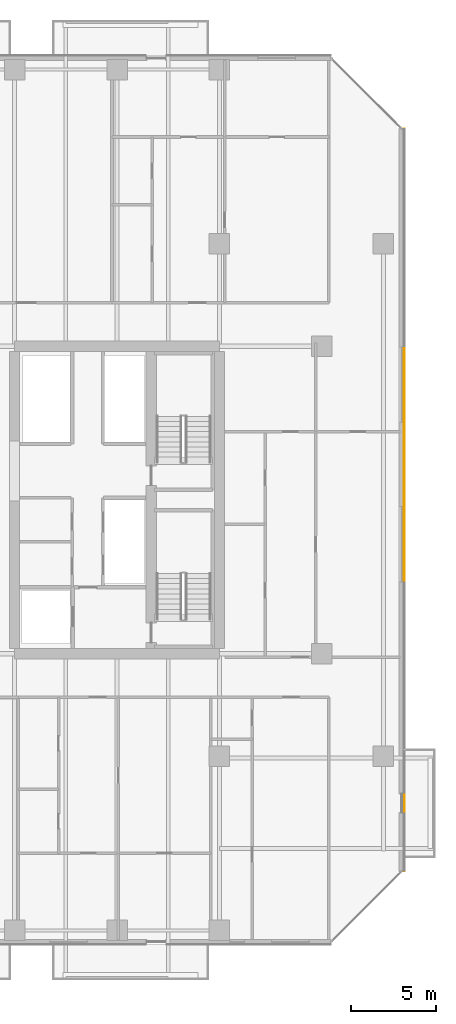
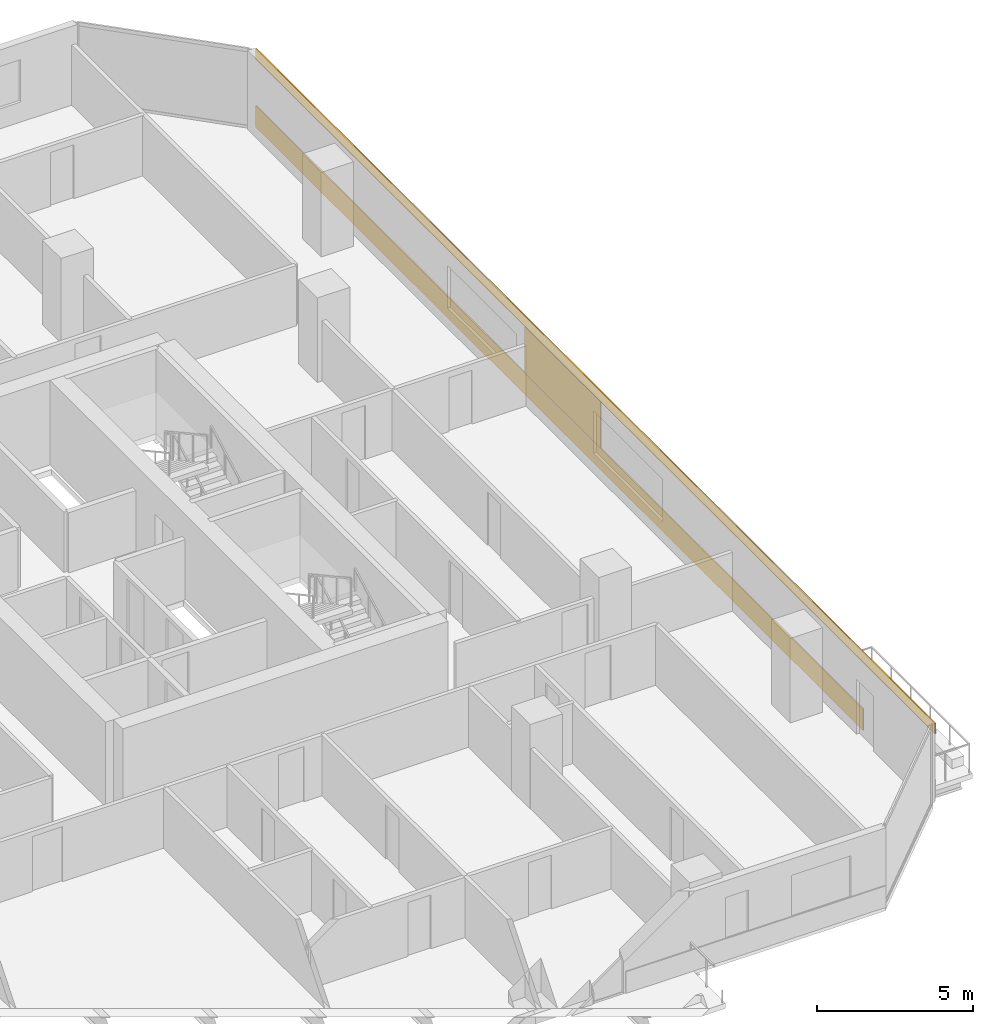
# One storey, part 32 of 33: 3 coverings.
"""IFC4 building model written with IfcOpenShell, lengths in metres."""

from ifc_helpers import new_model, si_unit, direction, frame, origin, origin_2d, place, context, subcontext, project, spatial, rectangle, extrude, material, layer, layer_set, type_object, element, save


model = new_model("IFC4")

# Units and contexts
model_context = context("Model", 3, precision=1e-05, world=origin(), true_north=direction((0.0, 1.0)))
body_context = subcontext(model_context, "Body", "Model", "MODEL_VIEW")
ifc_project = project(units=[si_unit("LENGTHUNIT", "METRE"), si_unit("AREAUNIT", "SQUARE_METRE"), si_unit("VOLUMEUNIT", "CUBIC_METRE"), si_unit("PLANEANGLEUNIT", "RADIAN"), si_unit("MASSUNIT", "GRAM", prefix="KILO")], contexts=[model_context])

# Site, building, storey
site_placement = place(None, origin())
site = spatial("IfcSite", under=ifc_project, at=site_placement, CompositionType="ELEMENT")
building_placement = place(site_placement, origin())
building = spatial("IfcBuilding", under=site, at=building_placement, Name="Tanjung Sevakor Pilgrim Tower", CompositionType="ELEMENT")
storey_placement = place(building_placement, frame((0.0, 0.0, 32.340087890625)))
storey = spatial("IfcBuildingStorey", under=building, at=storey_placement, Name="L08", CompositionType="ELEMENT", Elevation=32.340087890625)

# Coverings
ifc_material = material(Name="Reconstructed Limestone Cladding", Category="masonry")
ifc_layer = layer(ifc_material, 0.044921875)
ifc_layer_set = layer_set([ifc_layer], Name="COV-CLAD-LIMESTONE")
covering_type = type_object("IfcCoveringType", Name="COV-CLAD-LIMESTONE", PredefinedType="CLADDING", material=ifc_layer_set)
covering_1_placement = place(storey_placement, frame((100.822509765625, 35.881103515625, 0.009765625), z_axis=(0.0, 0.0, 1.0), x_axis=(0.0, 1.0, 0.0)))
element("IfcCovering", 1, at=covering_1_placement, inside=storey, type_object=covering_type, Name="L08 Warm Limestone Sill Spandrel EW-L08-MAIN-7-2", PredefinedType="CLADDING", context=body_context, shape_type="SweptSolid", body=[
    extrude(rectangle(XDim=38.842041015625, YDim=0.044921875, at=origin_2d()), origin(), (0.0, 0.0, 1.0), 0.840087890625),
])
covering_2_placement = place(storey_placement, frame((100.822509765625, 33.60009765625, 2.66015625), z_axis=(0.0, 0.0, 1.0), x_axis=(0.0, 1.0, 0.0)))
element("IfcCovering", 2, at=covering_2_placement, inside=storey, type_object=covering_type, Name="L08 Warm Limestone Cornice Spandrel EW-L08-MAIN-7", PredefinedType="CLADDING", context=body_context, shape_type="SweptSolid", body=[
    extrude(rectangle(XDim=43.444091796875, YDim=0.044921875, at=origin_2d()), origin(), (0.0, 0.0, 1.0), 0.409912109375),
])
covering_3_placement = place(storey_placement, frame((100.822509765625, 35.679931640625, 0.849853515625), z_axis=(0.0, 0.0, 1.0), x_axis=(0.0, 1.0, 0.0)))
element("IfcCovering", 3, at=covering_3_placement, inside=storey, type_object=covering_type, Name="L08 Warm Limestone Pier Panel EW-L08-MAIN-7-2", PredefinedType="CLADDING", context=body_context, shape_type="SweptSolid", body=[
    extrude(rectangle(XDim=4.840087890625, YDim=0.044921875, at=origin_2d()), origin(), (0.0, 0.0, 1.0), 1.81005859375),
])

save(model, "model.ifc")
